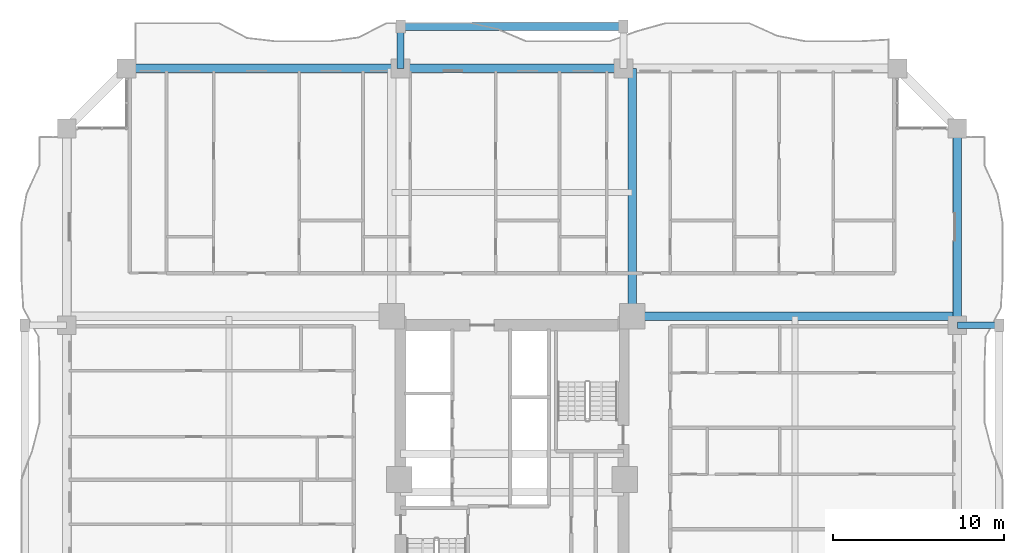
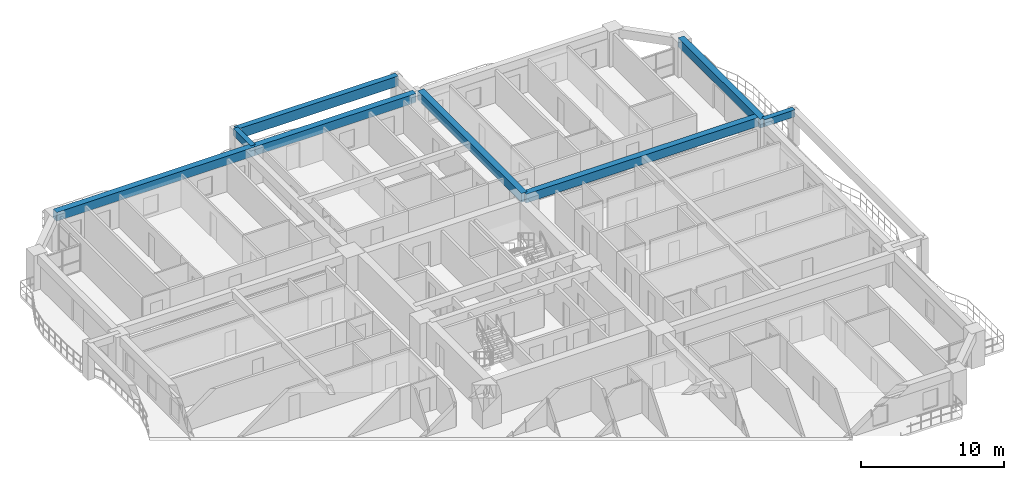
# One storey, part 9 of 27: 8 beams.
"""IFC4 building model written with IfcOpenShell, lengths in metres."""

from ifc_helpers import new_model, si_unit, direction, frame, origin, origin_2d, place, context, subcontext, project, spatial, rectangle, extrude, source, transform, mapped, material, material_profile, profile_set, type_object, element, save


model = new_model("IFC4")

# Units and contexts
model_context = context("Model", 3, precision=1e-05, world=origin(), true_north=direction((0.0, 1.0)))
body_context = subcontext(model_context, "Body", "Model", "MODEL_VIEW")
ifc_project = project(units=[si_unit("LENGTHUNIT", "METRE"), si_unit("AREAUNIT", "SQUARE_METRE"), si_unit("VOLUMEUNIT", "CUBIC_METRE"), si_unit("PLANEANGLEUNIT", "RADIAN"), si_unit("MASSUNIT", "GRAM", prefix="KILO")], contexts=[model_context])

# Site, building, storey
site_placement = place(None, origin())
site = spatial("IfcSite", under=ifc_project, at=site_placement, CompositionType="ELEMENT")
building_placement = place(site_placement, origin())
building = spatial("IfcBuilding", under=site, at=building_placement, Name="Saelheon Loggia Tower", CompositionType="ELEMENT")
storey_placement = place(building_placement, frame((0.0, 0.0, 43.39990234375)))
storey = spatial("IfcBuildingStorey", under=building, at=storey_placement, Name="L13", CompositionType="ELEMENT", Elevation=43.39990234375)

# Beams
ifc_material_1 = material(Name="Precast Concrete C45/55", Category="concrete")
ifc_material_profile_1 = material_profile(ifc_material_1, rectangle(XDim=0.449951171875, YDim=0.85009765625, at=origin_2d()), Name="RC-450x850")
ifc_profile_set_1 = profile_set([ifc_material_profile_1], Name="Precast Concrete C45/55")
beam_type_1 = type_object("IfcBeamType", Name="Beam_LoggiaSpandrel_RC450x850", PredefinedType="SPANDREL", material=ifc_profile_set_1)
shared_shape_1 = source(origin(), body_context, "Body", "SweptSolid", [
    extrude(rectangle(XDim=0.449951171875, YDim=0.85009765625, at=origin_2d()), origin(), (0.0, 0.0, 1.0), 13.0),
])
beam_1_placement = place(storey_placement, frame((31.5, 53.449951171875, 2.5751953125), z_axis=(1.0, 0.0, 0.0), x_axis=(0.0, 1.0, 0.0)))
element("IfcBeam", 1, at=beam_1_placement, inside=storey, type_object=beam_type_1, Name="L13 Loggia Spandrel Beam N", PredefinedType="SPANDREL", context=body_context, shape_type="MappedRepresentation", body=[
    mapped(shared_shape_1, transform((0.0, 0.0, 0.0), scale=1.0)),
])
ifc_material_2 = material(Name="Concrete C45/55", Category="concrete")
ifc_material_profile_2 = material_profile(ifc_material_2, rectangle(XDim=0.5, YDim=0.75, at=origin_2d()), Name="RC-500x750")
ifc_profile_set_2 = profile_set([ifc_material_profile_2], Name="Concrete C45/55")
beam_type_2 = type_object("IfcBeamType", Name="Beam_FloorGirder_RC500x750", PredefinedType="BEAM", material=ifc_profile_set_2)
shared_shape_2 = source(origin(), body_context, "Body", "SweptSolid", [
    extrude(rectangle(XDim=0.5, YDim=0.75, at=origin_2d()), origin(), (0.0, 0.0, 1.0), 14.47998046875),
])
beam_2_placement = place(storey_placement, frame((45.02001953125, 36.52001953125, 2.625), z_axis=(0.0, 1.0, 0.0), x_axis=(-1.0, 0.0, 0.0)))
element("IfcBeam", 2, at=beam_2_placement, inside=storey, type_object=beam_type_2, Name="L13 Radial Floor Girder RAD-NE-N", PredefinedType="BEAM", context=body_context, shape_type="MappedRepresentation", body=[
    mapped(shared_shape_2, transform((0.0, 0.0, 0.0), scale=1.0)),
])
ifc_material_profile_3 = material_profile(ifc_material_2, rectangle(XDim=0.5, YDim=0.75, at=origin_2d()), Name="RC-500x750")
ifc_profile_set_3 = profile_set([ifc_material_profile_3], Name="Concrete C45/55")
beam_type_3 = type_object("IfcBeamType", Name="Beam_PerimGirder_RC500x750", PredefinedType="BEAM", material=ifc_profile_set_3)
shared_shape_3 = source(origin(), body_context, "Body", "SweptSolid", [
    extrude(rectangle(XDim=0.5, YDim=0.75, at=origin_2d()), origin(), (0.0, 0.0, 1.0), 16.0),
])
beam_3_placement = place(storey_placement, frame((31.5, 51.0, 2.625), z_axis=(-1.0, 0.0, 0.0), x_axis=(0.0, -1.0, 0.0)))
element("IfcBeam", 3, at=beam_3_placement, inside=storey, type_object=beam_type_3, Name="L13 Perimeter Frame Girder 11", PredefinedType="BEAM", context=body_context, shape_type="MappedRepresentation", body=[
    mapped(shared_shape_3, transform((0.0, 0.0, 0.0), scale=1.0)),
])
shared_shape_4 = source(origin(), body_context, "Body", "SweptSolid", [
    extrude(rectangle(XDim=0.5, YDim=0.75, at=origin_2d()), origin(), (0.0, 0.0, 1.0), 13.0),
])
beam_4_placement = place(storey_placement, frame((44.5, 51.0, 2.625), z_axis=(-1.0, 0.0, 0.0), x_axis=(0.0, -1.0, 0.0)))
element("IfcBeam", 4, at=beam_4_placement, inside=storey, type_object=beam_type_3, Name="L13 Perimeter Frame Girder 10", PredefinedType="BEAM", context=body_context, shape_type="MappedRepresentation", body=[
    mapped(shared_shape_4, transform((0.0, 0.0, 0.0), scale=1.0)),
])
shared_shape_5 = source(origin(), body_context, "Body", "SweptSolid", [
    extrude(rectangle(XDim=0.5, YDim=0.75, at=origin_2d()), origin(), (0.0, 0.0, 1.0), 11.5),
])
beam_5_placement = place(storey_placement, frame((64.0, 36.0, 2.625), z_axis=(0.0, 1.0, 0.0), x_axis=(-1.0, 0.0, 0.0)))
element("IfcBeam", 5, at=beam_5_placement, inside=storey, type_object=beam_type_3, Name="L13 Perimeter Frame Girder 07", PredefinedType="BEAM", context=body_context, shape_type="MappedRepresentation", body=[
    mapped(shared_shape_5, transform((0.0, 0.0, 0.0), scale=1.0)),
])
shared_shape_6 = source(origin(), body_context, "Body", "SweptSolid", [
    extrude(rectangle(XDim=0.5, YDim=0.75, at=origin_2d()), origin(), (0.0, 0.0, 1.0), 18.97998046875),
])
beam_6_placement = place(storey_placement, frame((45.02001953125, 36.52001953125, 2.625), z_axis=(1.0, 0.0, 0.0), x_axis=(0.0, 1.0, 0.0)))
element("IfcBeam", 6, at=beam_6_placement, inside=storey, type_object=beam_type_2, Name="L13 Radial Floor Girder RAD-NE-E", PredefinedType="BEAM", context=body_context, shape_type="MappedRepresentation", body=[
    mapped(shared_shape_6, transform((0.0, 0.0, 0.0), scale=1.0)),
])
ifc_material_profile_4 = material_profile(ifc_material_1, rectangle(XDim=0.39990234375, YDim=0.60009765625, at=origin_2d()), Name="RC-400x600")
ifc_profile_set_4 = profile_set([ifc_material_profile_4], Name="Precast Concrete C45/55")
beam_type_4 = type_object("IfcBeamType", Name="Beam_LoggiaTie_RC400x600", PredefinedType="BEAM", material=ifc_profile_set_4)
shared_shape_7 = source(origin(), body_context, "Body", "SweptSolid", [
    extrude(rectangle(XDim=0.39990234375, YDim=0.60009765625, at=origin_2d()), origin(), (0.0, 0.0, 1.0), 2.449951171875),
])
for number, where, z_axis, x_axis, name in (
    (7, (31.5, 51.0, 2.7001953125), (0.0, 1.0, 0.0), (-1.0, 0.0, 0.0), "L13 Loggia Frame Tie Beam LP-N1"),
    (8, (64.0, 36.0, 2.7001953125), (1.0, 0.0, 0.0), (0.0, 1.0, 0.0), "L13 Loggia Frame Tie Beam LP-E2"),
):
    element("IfcBeam", number, at=place(storey_placement, frame(where, z_axis=z_axis, x_axis=x_axis)), inside=storey, type_object=beam_type_4, Name=name, PredefinedType="BEAM", context=body_context, shape_type="MappedRepresentation", body=[
        mapped(shared_shape_7, transform((0.0, 0.0, 0.0), scale=1.0)),
    ])

save(model, "model.ifc")
